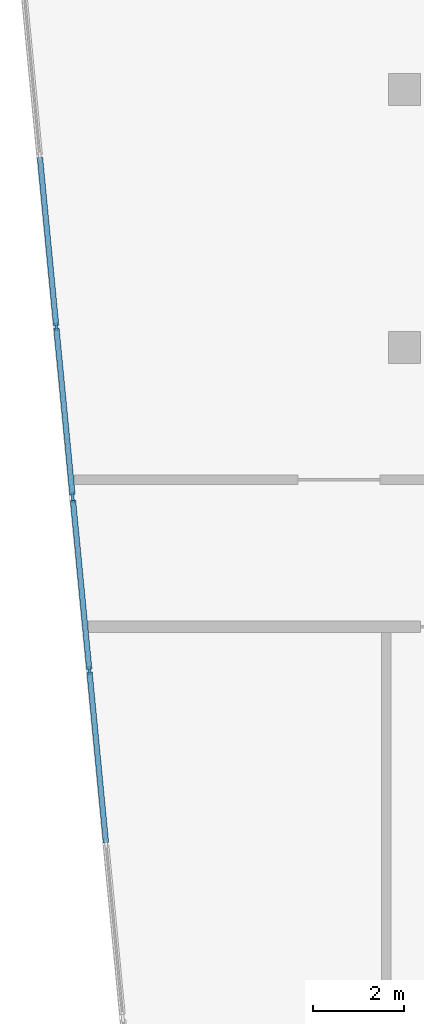
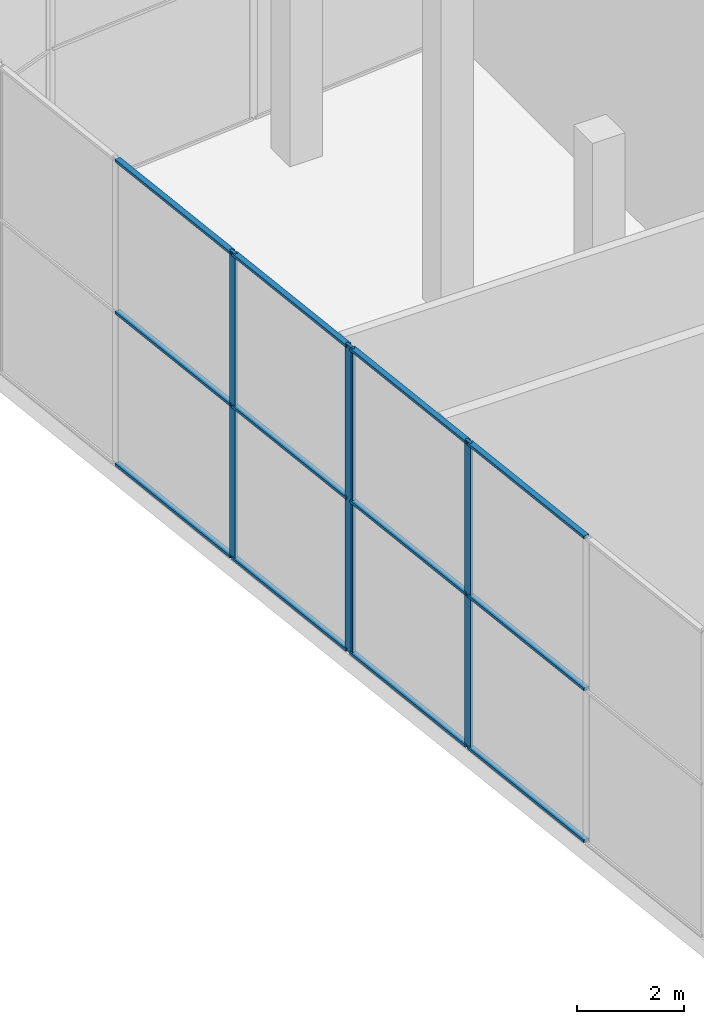
# One storey, part 3 of 25: 16 members, 2 elements without a shape of their own.
"""IFC4 building model written with IfcOpenShell, lengths in metres."""

from ifc_helpers import new_model, si_unit, direction, frame, origin, origin_2d, place, context, subcontext, project, spatial, rectangle, extrude, material, material_profile, profile_set, type_object, element, aggregate, save


model = new_model("IFC4")

# Units and contexts
model_context = context("Model", 3, precision=1e-05, world=origin(), true_north=direction((0.0, 1.0)))
body_context = subcontext(model_context, "Body", "Model", "MODEL_VIEW")
ifc_project = project(units=[si_unit("LENGTHUNIT", "METRE"), si_unit("AREAUNIT", "SQUARE_METRE"), si_unit("VOLUMEUNIT", "CUBIC_METRE"), si_unit("PLANEANGLEUNIT", "RADIAN"), si_unit("MASSUNIT", "GRAM", prefix="KILO")], contexts=[model_context])

# Site, building, storey
site_placement = place(None, origin())
site = spatial("IfcSite", under=ifc_project, at=site_placement, CompositionType="ELEMENT")
building_placement = place(site_placement, origin())
building = spatial("IfcBuilding", under=site, at=building_placement, Name="Kajstack Hotel Tower", CompositionType="ELEMENT")
storey_placement = place(building_placement, frame((0.0, 0.0, 155.0)))
storey = spatial("IfcBuildingStorey", under=building, at=storey_placement, Name="L36", CompositionType="ELEMENT", Elevation=155.0)

# Curtain wall, members
ifc_material_1 = material(Name="Aluminium-framed curtain wall, insulated glass with fritted edge", Category="aluminium")
curtain_wall_type = type_object("IfcCurtainWallType", Name="CW-SPA", PredefinedType="NOTDEFINED", material=ifc_material_1)
curtain_wall_1_placement = place(storey_placement, origin())
curtain_wall_1 = element("IfcCurtainWall", 1, at=curtain_wall_1_placement, inside=storey, type_object=curtain_wall_type, Name="Curtain wall CU7 L36-00-00-0", PredefinedType="NOTDEFINED")
ifc_material_2 = material(Name="Aluminium", Category="aluminium")
ifc_material_profile_1 = material_profile(ifc_material_2, rectangle(XDim=0.06005859375, YDim=0.179931640625, at=origin_2d()), Name="Aluminium mullion 60 x 180")
ifc_profile_set_1 = profile_set([ifc_material_profile_1], Name="Aluminium")
member_type_1 = type_object("IfcMemberType", Name="CW-M-SPA", PredefinedType="MULLION", material=ifc_profile_set_1)
member_1_placement = place(storey_placement, frame((-43.641845703125, 4.955322265625, 0.0), z_axis=(0.0, 0.0, 1.0), x_axis=(0.995396334107, 0.095844342793, 0.0)))
member_1 = element("IfcMember", 2, at=member_1_placement, type_object=member_type_1, Name="CU7 mullion 3", PredefinedType="MULLION", context=body_context, shape_type="SweptSolid", body=[
    extrude(rectangle(XDim=0.06005859375, YDim=0.179931640625, at=origin_2d()), origin(), (0.0, 0.0, 1.0), 7.0),
])
member_2_placement = place(storey_placement, frame((-43.283935546875, 1.237060546875, 0.0), z_axis=(0.0, 0.0, 1.0), x_axis=(0.995396334107, 0.095844342793, 0.0)))
member_2 = element("IfcMember", 3, at=member_2_placement, type_object=member_type_1, Name="CU7 mullion 4", PredefinedType="MULLION", context=body_context, shape_type="SweptSolid", body=[
    extrude(rectangle(XDim=0.06005859375, YDim=0.179931640625, at=origin_2d()), origin(), (0.0, 0.0, 1.0), 7.0),
])

curtain_wall_2_placement = place(storey_placement, origin())
curtain_wall_2 = element("IfcCurtainWall", 4, at=curtain_wall_2_placement, inside=storey, type_object=curtain_wall_type, Name="Curtain wall CU7 L36-00-00-1", PredefinedType="NOTDEFINED")
member_3_placement = place(storey_placement, frame((-43.278076171875, 1.17724609375, 0.0), z_axis=(0.0, 0.0, 1.0), x_axis=(0.995396336722, 0.095844315639, 0.0)))
member_3 = element("IfcMember", 5, at=member_3_placement, type_object=member_type_1, Name="CU7 mullion 1", PredefinedType="MULLION", context=body_context, shape_type="SweptSolid", body=[
    extrude(rectangle(XDim=0.06005859375, YDim=0.179931640625, at=origin_2d()), origin(), (0.0, 0.0, 1.0), 7.0),
])
member_4_placement = place(storey_placement, frame((-42.9150390625, -2.5927734375, 0.0), z_axis=(0.0, 0.0, 1.0), x_axis=(0.995396336722, 0.095844315639, 0.0)))
member_4 = element("IfcMember", 6, at=member_4_placement, type_object=member_type_1, Name="CU7 mullion 2", PredefinedType="MULLION", context=body_context, shape_type="SweptSolid", body=[
    extrude(rectangle(XDim=0.06005859375, YDim=0.179931640625, at=origin_2d()), origin(), (0.0, 0.0, 1.0), 7.0),
])

# Member
ifc_material_profile_2 = material_profile(ifc_material_2, rectangle(XDim=0.1201171875, YDim=0.06005859375, at=origin_2d()), Name="Aluminium transom 120 x 60")
ifc_profile_set_2 = profile_set([ifc_material_profile_2], Name="Aluminium")
member_type_2 = type_object("IfcMemberType", Name="CW-T-SPA", PredefinedType="USERDEFINED", material=ifc_profile_set_2)
member_5_placement = place(storey_placement, frame((-44.0, 8.67333984375, 0.030029296875), z_axis=(0.0958693429, -0.99539392659, 0.0), x_axis=(0.99539392659, 0.0958693429, 0.0)))
member_5 = element("IfcMember", 7, at=member_5_placement, type_object=member_type_2, Name="CU7 transom 2.1", ObjectType="TRANSOM", PredefinedType="USERDEFINED", context=body_context, shape_type="SweptSolid", body=[
    extrude(rectangle(XDim=0.1201171875, YDim=0.06005859375, at=origin_2d()), origin(), (0.0, 0.0, 1.0), 3.705322265625),
])

member_6_placement = place(storey_placement, frame((-44.0, 8.67333984375, 3.5), z_axis=(0.0958693429, -0.99539392659, 0.0), x_axis=(0.99539392659, 0.0958693429, 0.0)))
member_6 = element("IfcMember", 8, at=member_6_placement, type_object=member_type_2, Name="CU7 transom 2.2", ObjectType="TRANSOM", PredefinedType="USERDEFINED", context=body_context, shape_type="SweptSolid", body=[
    extrude(rectangle(XDim=0.1201171875, YDim=0.06005859375, at=origin_2d()), origin(), (0.0, 0.0, 1.0), 3.705322265625),
])

member_7_placement = place(storey_placement, frame((-44.0, 8.67333984375, 6.969970703125), z_axis=(0.0958693429, -0.99539392659, 0.0), x_axis=(0.99539392659, 0.0958693429, 0.0)))
member_7 = element("IfcMember", 9, at=member_7_placement, type_object=member_type_2, Name="CU7 transom 2.3", ObjectType="TRANSOM", PredefinedType="USERDEFINED", context=body_context, shape_type="SweptSolid", body=[
    extrude(rectangle(XDim=0.1201171875, YDim=0.06005859375, at=origin_2d()), origin(), (0.0, 0.0, 1.0), 3.705322265625),
])

member_8_placement = place(storey_placement, frame((-43.638916015625, 4.92529296875, 0.030029296875), z_axis=(0.095852900965, -0.995395510024, 0.0), x_axis=(0.995395510024, 0.095852900965, 0.0)))
member_8 = element("IfcMember", 10, at=member_8_placement, type_object=member_type_2, Name="CU7 transom 3.1", ObjectType="TRANSOM", PredefinedType="USERDEFINED", context=body_context, shape_type="SweptSolid", body=[
    extrude(rectangle(XDim=0.1201171875, YDim=0.06005859375, at=origin_2d()), origin(), (0.0, 0.0, 1.0), 3.67529296875),
])

member_9_placement = place(storey_placement, frame((-43.638916015625, 4.92529296875, 3.5), z_axis=(0.095852900965, -0.995395510024, 0.0), x_axis=(0.995395510024, 0.095852900965, 0.0)))
member_9 = element("IfcMember", 11, at=member_9_placement, type_object=member_type_2, Name="CU7 transom 3.2", ObjectType="TRANSOM", PredefinedType="USERDEFINED", context=body_context, shape_type="SweptSolid", body=[
    extrude(rectangle(XDim=0.1201171875, YDim=0.06005859375, at=origin_2d()), origin(), (0.0, 0.0, 1.0), 3.67529296875),
])

member_10_placement = place(storey_placement, frame((-43.638916015625, 4.92529296875, 6.969970703125), z_axis=(0.095852900965, -0.995395510024, 0.0), x_axis=(0.995395510024, 0.095852900965, 0.0)))
member_10 = element("IfcMember", 12, at=member_10_placement, type_object=member_type_2, Name="CU7 transom 3.3", ObjectType="TRANSOM", PredefinedType="USERDEFINED", context=body_context, shape_type="SweptSolid", body=[
    extrude(rectangle(XDim=0.1201171875, YDim=0.06005859375, at=origin_2d()), origin(), (0.0, 0.0, 1.0), 3.67529296875),
])

aggregate(curtain_wall_1, [member_1, member_2, member_5, member_6, member_7, member_8, member_9, member_10])

member_11_placement = place(storey_placement, frame((-43.275146484375, 1.1474609375, 0.030029296875), z_axis=(0.095819733063, -0.995398703413, 0.0), x_axis=(0.995398703413, 0.095819733063, 0.0)))
member_11 = element("IfcMember", 13, at=member_11_placement, type_object=member_type_2, Name="CU7 transom 1.1", ObjectType="TRANSOM", PredefinedType="USERDEFINED", context=body_context, shape_type="SweptSolid", body=[
    extrude(rectangle(XDim=0.1201171875, YDim=0.06005859375, at=origin_2d()), origin(), (0.0, 0.0, 1.0), 3.7275390625),
])

member_12_placement = place(storey_placement, frame((-43.275146484375, 1.1474609375, 3.5), z_axis=(0.095819733063, -0.995398703413, 0.0), x_axis=(0.995398703413, 0.095819733063, 0.0)))
member_12 = element("IfcMember", 14, at=member_12_placement, type_object=member_type_2, Name="CU7 transom 1.2", ObjectType="TRANSOM", PredefinedType="USERDEFINED", context=body_context, shape_type="SweptSolid", body=[
    extrude(rectangle(XDim=0.1201171875, YDim=0.06005859375, at=origin_2d()), origin(), (0.0, 0.0, 1.0), 3.7275390625),
])

member_13_placement = place(storey_placement, frame((-43.275146484375, 1.1474609375, 6.969970703125), z_axis=(0.095819733063, -0.995398703413, 0.0), x_axis=(0.995398703413, 0.095819733063, 0.0)))
member_13 = element("IfcMember", 15, at=member_13_placement, type_object=member_type_2, Name="CU7 transom 1.3", ObjectType="TRANSOM", PredefinedType="USERDEFINED", context=body_context, shape_type="SweptSolid", body=[
    extrude(rectangle(XDim=0.1201171875, YDim=0.06005859375, at=origin_2d()), origin(), (0.0, 0.0, 1.0), 3.7275390625),
])

member_14_placement = place(storey_placement, frame((-42.912109375, -2.62255859375, 0.030029296875), z_axis=(0.095830012913, -0.995397713793, 0.0), x_axis=(0.995397713793, 0.095830012913, 0.0)))
member_14 = element("IfcMember", 16, at=member_14_placement, type_object=member_type_2, Name="CU7 transom 2.1", ObjectType="TRANSOM", PredefinedType="USERDEFINED", context=body_context, shape_type="SweptSolid", body=[
    extrude(rectangle(XDim=0.1201171875, YDim=0.06005859375, at=origin_2d()), origin(), (0.0, 0.0, 1.0), 3.7578125),
])

member_15_placement = place(storey_placement, frame((-42.912109375, -2.62255859375, 3.5), z_axis=(0.095830012913, -0.995397713793, 0.0), x_axis=(0.995397713793, 0.095830012913, 0.0)))
member_15 = element("IfcMember", 17, at=member_15_placement, type_object=member_type_2, Name="CU7 transom 2.2", ObjectType="TRANSOM", PredefinedType="USERDEFINED", context=body_context, shape_type="SweptSolid", body=[
    extrude(rectangle(XDim=0.1201171875, YDim=0.06005859375, at=origin_2d()), origin(), (0.0, 0.0, 1.0), 3.7578125),
])

member_16_placement = place(storey_placement, frame((-42.912109375, -2.62255859375, 6.969970703125), z_axis=(0.095830012913, -0.995397713793, 0.0), x_axis=(0.995397713793, 0.095830012913, 0.0)))
member_16 = element("IfcMember", 18, at=member_16_placement, type_object=member_type_2, Name="CU7 transom 2.3", ObjectType="TRANSOM", PredefinedType="USERDEFINED", context=body_context, shape_type="SweptSolid", body=[
    extrude(rectangle(XDim=0.1201171875, YDim=0.06005859375, at=origin_2d()), origin(), (0.0, 0.0, 1.0), 3.7578125),
])

aggregate(curtain_wall_2, [member_3, member_4, member_11, member_12, member_13, member_14, member_15, member_16])

save(model, "model.ifc")
